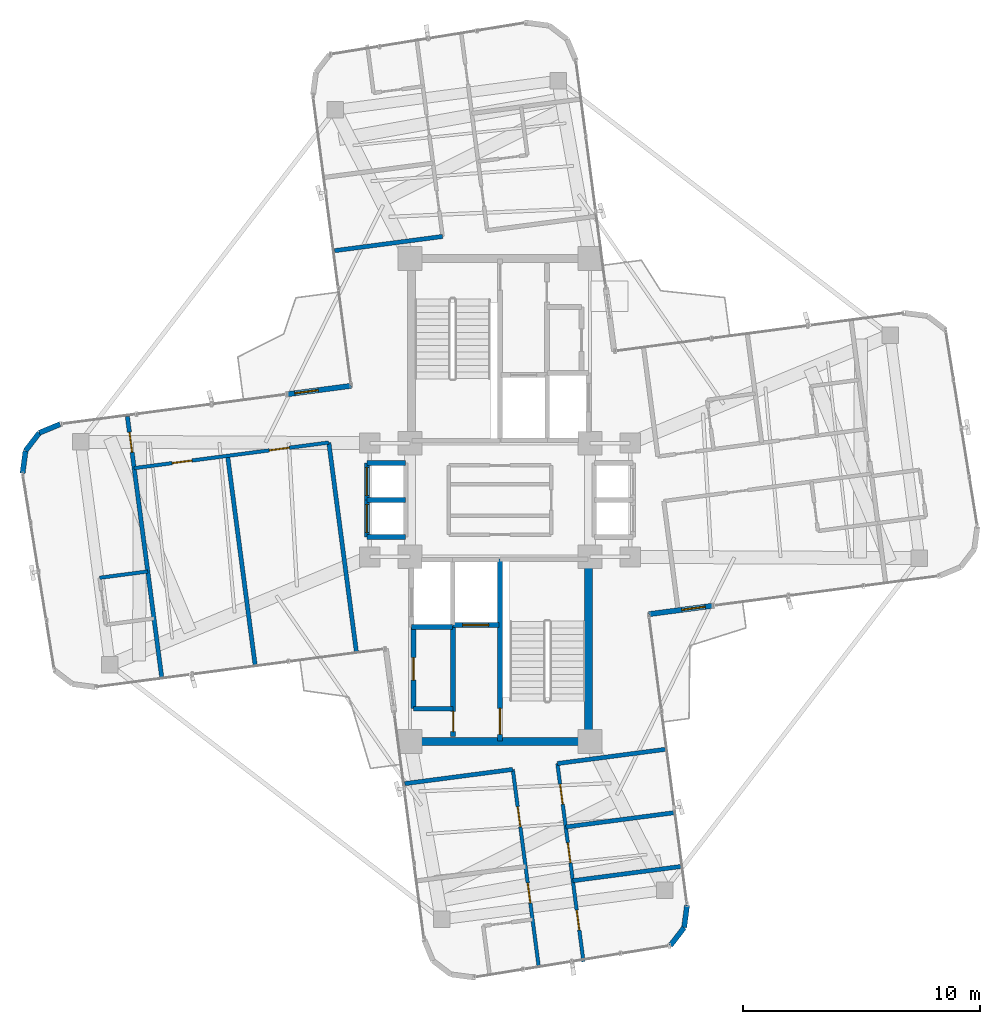
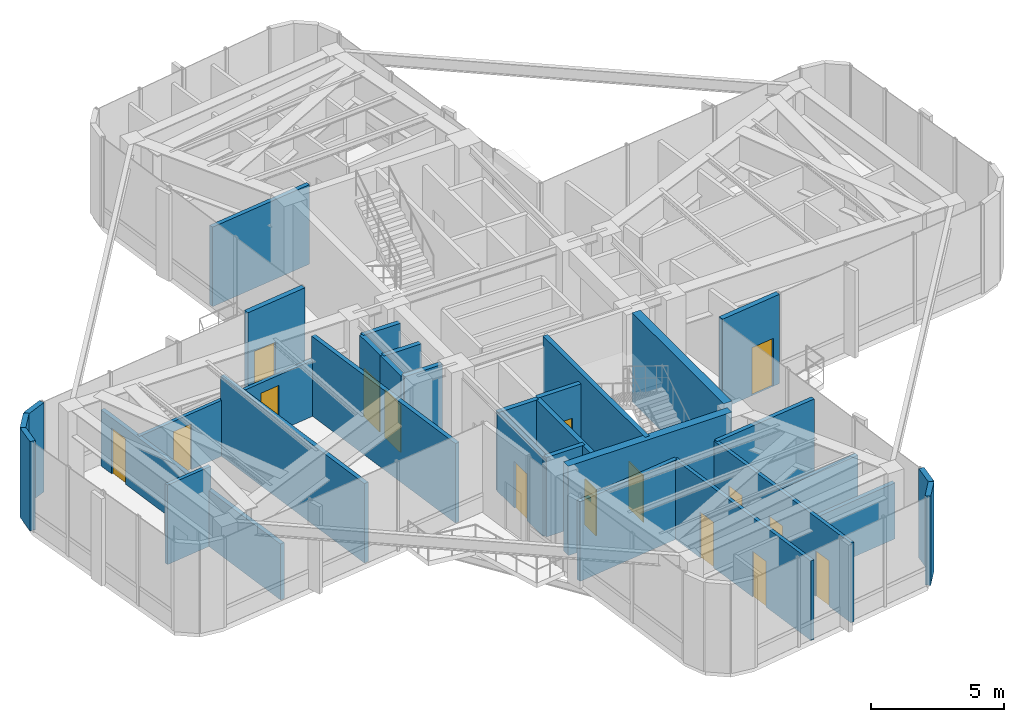
# One storey, part 14 of 18: 32 walls, 16 doors, 16 openings.
"""IFC4 building model written with IfcOpenShell, lengths in metres."""

from ifc_helpers import new_model, si_unit, direction, frame, frame_2d, origin, origin_2d, place, context, subcontext, project, spatial, rectangle, extrude, source, transform, mapped, material, layer, layer_set, type_object, element, fill, save


model = new_model("IFC4")

# Units and contexts
model_context = context("Model", 3, precision=1e-05, world=origin(), true_north=direction((0.0, 1.0)))
body_context = subcontext(model_context, "Body", "Model", "MODEL_VIEW")
ifc_project = project(units=[si_unit("LENGTHUNIT", "METRE"), si_unit("AREAUNIT", "SQUARE_METRE"), si_unit("VOLUMEUNIT", "CUBIC_METRE"), si_unit("PLANEANGLEUNIT", "RADIAN"), si_unit("MASSUNIT", "GRAM", prefix="KILO")], contexts=[model_context])

# Site, building, storey
site_placement = place(None, origin())
site = spatial("IfcSite", under=ifc_project, at=site_placement, CompositionType="ELEMENT")
building_placement = place(site_placement, origin())
building = spatial("IfcBuilding", under=site, at=building_placement, Name="Sahyath Konkavel Grand Hotel", CompositionType="ELEMENT")
storey_placement = place(building_placement, frame((0.0, 0.0, 275.800048828125)))
storey = spatial("IfcBuildingStorey", under=building, at=storey_placement, Name="L77", CompositionType="ELEMENT", Elevation=275.800048828125)

# Walls
ifc_material_1 = material(Name="Concrete C40/50", Category="concrete")
ifc_layer_1 = layer(ifc_material_1, 0.35009765625)
ifc_layer_set_1 = layer_set([ifc_layer_1], Name="Concrete C40/50")
wall_type_1 = type_object("IfcWallType", Name="CWALL-350", PredefinedType="SHEAR", material=ifc_layer_set_1)
wall_1_placement = place(storey_placement, frame((-3.550048828125, -10.199951171875, 0.0), z_axis=(0.0, 0.0, 1.0), x_axis=(1.0, 0.0, 0.0)))
element("IfcWall", 1, at=wall_1_placement, inside=storey, type_object=wall_type_1, Name="L77 South Core Shear Wall S", PredefinedType="SHEAR", context=body_context, shape_type="SweptSolid", body=[
    extrude(rectangle(XDim=7.10009765625, YDim=0.35009765625, at=frame_2d((3.550048828125, 0.0))), origin(), (0.0, 0.0, 1.0), 4.099853515625),
])
wall_2_placement = place(storey_placement, frame((3.739990234375, -9.75, 0.0), z_axis=(0.0, 0.0, 1.0), x_axis=(0.0, 1.0, 0.0)))
element("IfcWall", 2, at=wall_2_placement, inside=storey, type_object=wall_type_1, Name="L77 South Core Shear Wall E", PredefinedType="SHEAR", context=body_context, shape_type="SweptSolid", body=[
    extrude(rectangle(XDim=6.89990234375, YDim=0.35009765625, at=frame_2d((3.449951171875, 0.0))), origin(), (0.0, 0.0, 1.0), 4.099853515625),
])

# Wall, opening, door
ifc_material_2 = material(Name="Warm Buff Sandstone Insulated Concrete C40/50", Category="masonry")
ifc_layer_2 = layer(ifc_material_2, 0.219970703125)
ifc_layer_set_2 = layer_set([ifc_layer_2], Name="Warm Buff Sandstone Insulated Concrete C40/50")
wall_type_2 = type_object("IfcWallType", Name="WLL-BALC-THRESH", PredefinedType="STANDARD", material=ifc_layer_set_2)
wall_3_placement = place(storey_placement, frame((6.282958984375, -4.821044921875, 0.0), z_axis=(0.0, 0.0, 1.0), x_axis=(0.991451525486, 0.130475563272, 0.0)))
wall_3 = element("IfcWall", 3, at=wall_3_placement, inside=storey, type_object=wall_type_2, Name="L77 Winter-Garden Threshold Wall 0", PredefinedType="STANDARD", context=body_context, shape_type="SweptSolid", body=[
    extrude(rectangle(XDim=2.7001953125, YDim=0.219970703125, at=frame_2d((1.35009765625, 0.0))), origin(), (0.0, 0.0, 1.0), 4.099853515625),
])
opening_1_placement = place(wall_3_placement, frame((1.39990234375, 0.0, 0.0)))
opening_1 = element("IfcOpeningElement", 4, at=opening_1_placement, cuts=wall_3, Name="Opening D-TR1", PredefinedType="OPENING", context=body_context, shape_type="SweptSolid", body=[
    extrude(rectangle(XDim=1.0, YDim=2.199951171875, at=frame_2d((0.5, 1.10009765625))), frame((0.0, 0.1201171875, 0.0), z_axis=(0.0, -1.0, 0.0), x_axis=(1.0, 0.0, 0.0)), (0.0, 0.0, 1.0), 0.239990234375),
])
ifc_material_3 = material(Name="Anodised Bronze Aluminium & Low-E Glazing", Category="aluminium")
door_type_1 = type_object("IfcDoorType", Name="DR-TERRACE-1000", OperationType="NOTDEFINED", PredefinedType="DOOR", material=ifc_material_3)
shared_shape_1 = source(origin(), body_context, "Body", "SweptSolid", [
    extrude(rectangle(XDim=1.0, YDim=0.050048828125, at=origin_2d()), origin(), (0.0, 0.0, 1.0), 2.199951171875),
])
door_1_placement = place(opening_1_placement, frame((0.5, 0.0, 0.0)))
door_1 = element("IfcDoor", 5, at=door_1_placement, inside=storey, type_object=door_type_1, Name="L77 Winter-Garden Terrace Door 0", OperationType="SINGLE_SWING_LEFT", OverallHeight=2.199951171875, OverallWidth=1.0, PredefinedType="DOOR", context=body_context, shape_type="MappedRepresentation", body=[
    mapped(shared_shape_1, transform((0.0, 0.0, 0.0), scale=1.0)),
])
fill(opening_1, door_1)

wall_4_placement = place(storey_placement, frame((-6.282958984375, 4.821044921875, 0.0), z_axis=(0.0, 0.0, 1.0), x_axis=(-0.991451525486, -0.130475563272, 0.0)))
wall_4 = element("IfcWall", 6, at=wall_4_placement, inside=storey, type_object=wall_type_2, Name="L77 Winter-Garden Threshold Wall 16", PredefinedType="STANDARD", context=body_context, shape_type="SweptSolid", body=[
    extrude(rectangle(XDim=2.7001953125, YDim=0.219970703125, at=frame_2d((1.35009765625, 0.0))), origin(), (0.0, 0.0, 1.0), 4.099853515625),
])
opening_2_placement = place(wall_4_placement, frame((1.39990234375, 0.0, 0.0)))
opening_2 = element("IfcOpeningElement", 7, at=opening_2_placement, cuts=wall_4, Name="Opening D-TR1", PredefinedType="OPENING", context=body_context, shape_type="SweptSolid", body=[
    extrude(rectangle(XDim=1.0, YDim=2.199951171875, at=frame_2d((0.5, 1.10009765625))), frame((0.0, 0.1201171875, 0.0), z_axis=(0.0, -1.0, 0.0), x_axis=(1.0, 0.0, 0.0)), (0.0, 0.0, 1.0), 0.239990234375),
])
door_2_placement = place(opening_2_placement, frame((0.5, 0.0, 0.0)))
door_2 = element("IfcDoor", 8, at=door_2_placement, inside=storey, type_object=door_type_1, Name="L77 Winter-Garden Terrace Door 16", OperationType="SINGLE_SWING_LEFT", OverallHeight=2.199951171875, OverallWidth=1.0, PredefinedType="DOOR", context=body_context, shape_type="MappedRepresentation", body=[
    mapped(shared_shape_1, transform((0.0, 0.0, 0.0), scale=1.0)),
])
fill(opening_2, door_2)

# Walls
wall_5_placement = place(storey_placement, frame((-18.56689453125, 3.203857421875, 0.0), z_axis=(0.0, 0.0, 1.0), x_axis=(-0.923926759112, -0.382569397359, 0.0)))
element("IfcWall", 9, at=wall_5_placement, inside=storey, type_object=wall_type_2, Name="L77 Rounded Corner Sandstone Pier 17", PredefinedType="STANDARD", context=body_context, shape_type="SweptSolid", body=[
    extrude(rectangle(XDim=0.957763671875, YDim=0.219970703125, at=frame_2d((0.47900390625, 0.0))), origin(), (0.0, 0.0, 1.0), 4.099853515625),
])
for number, where, z_axis, x_axis, name in (
    (10, (-19.451904296875, 2.83740234375, 0.0), (0.0, 0.0, 1.0), (-0.60861352168, -0.793466811674, 0.0), "L77 Rounded Corner Sandstone Pier 18"),
    (11, (-20.03466796875, 2.07763671875, 0.0), (0.0, 0.0, 1.0), (-0.13056005306, -0.991440402921, 0.0), "L77 Rounded Corner Sandstone Pier 19"),
    (12, (7.1923828125, -18.814208984375, 0.0), (0.0, 0.0, 1.0), (0.608897151398, 0.793249178392, 0.0), "L77 Rounded Corner Sandstone Pier 29"),
):
    element("IfcWall", number, at=place(storey_placement, frame(where, z_axis=z_axis, x_axis=x_axis)), inside=storey, type_object=wall_type_2, Name=name, PredefinedType="STANDARD", context=body_context, shape_type="SweptSolid", body=[
        extrude(rectangle(XDim=0.95751953125, YDim=0.219970703125, at=frame_2d((0.478759765625, 0.0))), origin(), (0.0, 0.0, 1.0), 4.099853515625),
    ])
wall_6_placement = place(storey_placement, frame((7.775390625, -18.0546875, 0.0), z_axis=(0.0, 0.0, 1.0), x_axis=(0.130494070426, 0.991449089759, 0.0)))
element("IfcWall", 13, at=wall_6_placement, inside=storey, type_object=wall_type_2, Name="L77 Rounded Corner Sandstone Pier 30", PredefinedType="STANDARD", context=body_context, shape_type="SweptSolid", body=[
    extrude(rectangle(XDim=0.9580078125, YDim=0.219970703125, at=frame_2d((0.47900390625, 0.0))), origin(), (0.0, 0.0, 1.0), 4.099853515625),
])

# Wall, opening, door
ifc_layer_3 = layer(ifc_material_1, 0.199951171875)
ifc_layer_set_3 = layer_set([ifc_layer_3], Name="Concrete C40/50")
wall_type_3 = type_object("IfcWallType", Name="WLL-CORE-200", PredefinedType="SOLIDWALL", material=ifc_layer_set_3)
wall_7_placement = place(storey_placement, frame((0.0, -10.179931640625, 0.0), z_axis=(0.0, 0.0, 1.0), x_axis=(0.0, 1.0, 0.0)))
wall_7 = element("IfcWall", 14, at=wall_7_placement, inside=storey, type_object=wall_type_3, Name="L77 Stair ST-2 Shaft Wall W", PredefinedType="SOLIDWALL", context=body_context, shape_type="SweptSolid", body=[
    extrude(rectangle(XDim=7.679931640625, YDim=0.199951171875, at=frame_2d((3.83984375, 0.0))), origin(), (0.0, 0.0, 1.0), 4.099853515625),
])
opening_3_placement = place(wall_7_placement, frame((0.280029296875, 0.0, 0.0)))
opening_3 = element("IfcOpeningElement", 15, at=opening_3_placement, cuts=wall_7, Name="Opening D-F12B", PredefinedType="OPENING", context=body_context, shape_type="SweptSolid", body=[
    extrude(rectangle(XDim=1.10009765625, YDim=2.14990234375, at=frame_2d((0.550048828125, 1.074951171875))), frame((0.0, 0.10986328125, 0.0), z_axis=(0.0, -1.0, 0.0), x_axis=(1.0, 0.0, 0.0)), (0.0, 0.0, 1.0), 0.219970703125),
])
ifc_material_4 = material(Name="Steel E350 Smokeproof Fire Door", Category="steel")
door_type_2 = type_object("IfcDoorType", Name="DR-FD120-1100", OperationType="NOTDEFINED", PredefinedType="DOOR", material=ifc_material_4)
shared_shape_2 = source(origin(), body_context, "Body", "SweptSolid", [
    extrude(rectangle(XDim=1.10009765625, YDim=0.050048828125, at=origin_2d()), origin(), (0.0, 0.0, 1.0), 2.14990234375),
])
door_3_placement = place(opening_3_placement, frame((0.550048828125, 0.0, 0.0)))
door_3 = element("IfcDoor", 16, at=door_3_placement, inside=storey, type_object=door_type_2, Name="L77 Stair ST-2 Fire Door", OperationType="SINGLE_SWING_RIGHT", OverallHeight=2.14990234375, OverallWidth=1.10009765625, PredefinedType="DOOR", context=body_context, shape_type="MappedRepresentation", body=[
    mapped(shared_shape_2, transform((0.0, 0.0, 0.0), scale=1.0)),
])
fill(opening_3, door_3)

wall_8_placement = place(storey_placement, frame((-1.97998046875, -9.97998046875, 0.0), z_axis=(0.0, 0.0, 1.0), x_axis=(0.0, 1.0, 0.0)))
wall_8 = element("IfcWall", 17, at=wall_8_placement, inside=storey, type_object=wall_type_3, Name="L77 South Firefighting Lobby Wall W", PredefinedType="SOLIDWALL", context=body_context, shape_type="SweptSolid", body=[
    extrude(rectangle(XDim=4.659912109375, YDim=0.199951171875, at=frame_2d((2.330078125, 0.0))), origin(), (0.0, 0.0, 1.0), 3.64990234375),
])
opening_4_placement = place(wall_8_placement, frame((0.199951171875, 0.0, 0.0)))
opening_4 = element("IfcOpeningElement", 18, at=opening_4_placement, cuts=wall_8, Name="Opening D-F12D", PredefinedType="OPENING", context=body_context, shape_type="SweptSolid", body=[
    extrude(rectangle(XDim=0.85009765625, YDim=2.10009765625, at=frame_2d((0.425048828125, 1.050048828125))), frame((0.0, 0.10986328125, 0.0), z_axis=(0.0, -1.0, 0.0), x_axis=(1.0, 0.0, 0.0)), (0.0, 0.0, 1.0), 0.219970703125),
])
ifc_material_5 = material(Name="Steel E350 Core Fire Door", Category="steel")
door_type_3 = type_object("IfcDoorType", Name="DR-FD120-850", OperationType="NOTDEFINED", PredefinedType="DOOR", material=ifc_material_5)
shared_shape_3 = source(origin(), body_context, "Body", "SweptSolid", [
    extrude(rectangle(XDim=0.85009765625, YDim=0.050048828125, at=origin_2d()), origin(), (0.0, 0.0, 1.0), 2.10009765625),
])
door_4_placement = place(opening_4_placement, frame((0.425048828125, 0.0, 0.0)))
door_4 = element("IfcDoor", 19, at=door_4_placement, inside=storey, type_object=door_type_3, Name="L77 South Firefighting Lobby Door", OperationType="SINGLE_SWING_RIGHT", OverallHeight=2.10009765625, OverallWidth=0.85009765625, PredefinedType="DOOR", context=body_context, shape_type="MappedRepresentation", body=[
    mapped(shared_shape_3, transform((0.0, 0.0, 0.0), scale=1.0)),
])
fill(opening_4, door_4)

wall_9_placement = place(storey_placement, frame((-1.97998046875, -5.280029296875, 0.0), z_axis=(0.0, 0.0, 1.0), x_axis=(1.0, 0.0, 0.0)))
wall_9 = element("IfcWall", 20, at=wall_9_placement, inside=storey, type_object=wall_type_3, Name="L77 Partition SH-FFL2-S", PredefinedType="SOLIDWALL", context=body_context, shape_type="SweptSolid", body=[
    extrude(rectangle(XDim=1.929931640625, YDim=0.199951171875, at=frame_2d((0.96484375, 0.0))), origin(), (0.0, 0.0, 1.0), 3.64990234375),
])
opening_5_placement = place(wall_9_placement, frame((0.39990234375, 0.0, 0.0)))
opening_5 = element("IfcOpeningElement", 21, at=opening_5_placement, cuts=wall_9, Name="Opening LD-11", PredefinedType="OPENING", context=body_context, shape_type="SweptSolid", body=[
    extrude(rectangle(XDim=1.10009765625, YDim=2.199951171875, at=frame_2d((0.550048828125, 1.10009765625))), frame((0.0, 0.10986328125, 0.0), z_axis=(0.0, -1.0, 0.0), x_axis=(1.0, 0.0, 0.0)), (0.0, 0.0, 1.0), 0.219970703125),
])
ifc_material_6 = material(Name="Bronze Lift Landing Door 1100")
door_type_4 = type_object("IfcDoorType", Name="DR-LIFT-1100", OperationType="DOUBLE_DOOR_SLIDING", PredefinedType="DOOR", material=ifc_material_6)
shared_shape_4 = source(origin(), body_context, "Body", "SweptSolid", [
    extrude(rectangle(XDim=1.10009765625, YDim=0.050048828125, at=origin_2d()), origin(), (0.0, 0.0, 1.0), 2.199951171875),
])
door_5_placement = place(opening_5_placement, frame((0.550048828125, 0.0, 0.0)))
door_5 = element("IfcDoor", 22, at=door_5_placement, inside=storey, type_object=door_type_4, Name="L77 Lift FFL-2 Landing Door", OperationType="DOUBLE_DOOR_SLIDING", OverallHeight=2.199951171875, OverallWidth=1.10009765625, PredefinedType="DOOR", context=body_context, shape_type="MappedRepresentation", body=[
    mapped(shared_shape_4, transform((0.0, 0.0, 0.0), scale=1.0)),
])
fill(opening_5, door_5)

# Walls
wall_10_placement = place(storey_placement, frame((-3.739990234375, -5.360107421875, 0.0), z_axis=(0.0, 0.0, 1.0), x_axis=(1.0, 0.0, 0.0)))
element("IfcWall", 23, at=wall_10_placement, inside=storey, type_object=wall_type_3, Name="L77 Partition SH-SVL2-S", PredefinedType="SOLIDWALL", context=body_context, shape_type="SweptSolid", body=[
    extrude(rectangle(XDim=1.739990234375, YDim=0.199951171875, at=frame_2d((0.8701171875, 0.0))), origin(), (0.0, 0.0, 1.0), 3.64990234375),
])
for number, where, z_axis, x_axis, name in (
    (24, (-5.6201171875, 1.56005859375, 0.0), (0.0, 0.0, 1.0), (1.0, 0.0, 0.0), "L77 Partition SH-SL12-N"),
    (25, (-5.6201171875, -1.56005859375, 0.0), (0.0, 0.0, 1.0), (1.0, 0.0, 0.0), "L77 Partition SH-SL12-S"),
    (26, (-5.6201171875, 0.0, 0.0), (0.0, 0.0, 1.0), (1.0, 0.0, 0.0), "L77 Partition SH-SL12-M"),
):
    element("IfcWall", number, at=place(storey_placement, frame(where, z_axis=z_axis, x_axis=x_axis)), inside=storey, type_object=wall_type_3, Name=name, PredefinedType="SOLIDWALL", context=body_context, shape_type="SweptSolid", body=[
        extrude(rectangle(XDim=1.64013671875, YDim=0.199951171875, at=frame_2d((0.820068359375, 0.0))), origin(), (0.0, 0.0, 1.0), 3.64990234375),
    ])

# Wall, opening, door
wall_11_placement = place(storey_placement, frame((-5.6201171875, 0.0, 0.0), z_axis=(0.0, 0.0, 1.0), x_axis=(0.0, 1.0, 0.0)))
wall_11 = element("IfcWall", 27, at=wall_11_placement, inside=storey, type_object=wall_type_3, Name="L77 Partition SH-SL1-W", PredefinedType="SOLIDWALL", context=body_context, shape_type="SweptSolid", body=[
    extrude(rectangle(XDim=1.56005859375, YDim=0.199951171875, at=frame_2d((0.780029296875, 0.0))), origin(), (0.0, 0.0, 1.0), 3.64990234375),
])
opening_6_placement = place(wall_11_placement, frame((0.179931640625, 0.0, 0.0)))
opening_6 = element("IfcOpeningElement", 28, at=opening_6_placement, cuts=wall_11, Name="Opening LD-12", PredefinedType="OPENING", context=body_context, shape_type="SweptSolid", body=[
    extrude(rectangle(XDim=1.199951171875, YDim=2.199951171875, at=frame_2d((0.60009765625, 1.10009765625))), frame((0.0, 0.10986328125, 0.0), z_axis=(0.0, -1.0, 0.0), x_axis=(1.0, 0.0, 0.0)), (0.0, 0.0, 1.0), 0.219970703125),
])
ifc_material_7 = material(Name="Stainless Steel Lift Landing Door 1200", Category="steel")
door_type_5 = type_object("IfcDoorType", Name="DR-LIFT-1200", OperationType="DOUBLE_DOOR_SLIDING", PredefinedType="DOOR", material=ifc_material_7)
shared_shape_5 = source(origin(), body_context, "Body", "SweptSolid", [
    extrude(rectangle(XDim=1.199951171875, YDim=0.050048828125, at=origin_2d()), origin(), (0.0, 0.0, 1.0), 2.199951171875),
])
door_6_placement = place(opening_6_placement, frame((0.60009765625, 0.0, 0.0)))
door_6 = element("IfcDoor", 29, at=door_6_placement, inside=storey, type_object=door_type_5, Name="L77 Express Shuttle SL-1 Landing Door", OperationType="DOUBLE_DOOR_SLIDING", OverallHeight=2.199951171875, OverallWidth=1.199951171875, PredefinedType="DOOR", context=body_context, shape_type="MappedRepresentation", body=[
    mapped(shared_shape_5, transform((0.0, 0.0, 0.0), scale=1.0)),
])
fill(opening_6, door_6)

wall_12_placement = place(storey_placement, frame((-5.6201171875, -1.56005859375, 0.0), z_axis=(0.0, 0.0, 1.0), x_axis=(0.0, 1.0, 0.0)))
wall_12 = element("IfcWall", 30, at=wall_12_placement, inside=storey, type_object=wall_type_3, Name="L77 Partition SH-SL2-W", PredefinedType="SOLIDWALL", context=body_context, shape_type="SweptSolid", body=[
    extrude(rectangle(XDim=1.56005859375, YDim=0.199951171875, at=frame_2d((0.780029296875, 0.0))), origin(), (0.0, 0.0, 1.0), 3.64990234375),
])
opening_7_placement = place(wall_12_placement, frame((0.179931640625, 0.0, 0.0)))
opening_7 = element("IfcOpeningElement", 31, at=opening_7_placement, cuts=wall_12, Name="Opening LD-12", PredefinedType="OPENING", context=body_context, shape_type="SweptSolid", body=[
    extrude(rectangle(XDim=1.199951171875, YDim=2.199951171875, at=frame_2d((0.60009765625, 1.10009765625))), frame((0.0, 0.10986328125, 0.0), z_axis=(0.0, -1.0, 0.0), x_axis=(1.0, 0.0, 0.0)), (0.0, 0.0, 1.0), 0.219970703125),
])
door_7_placement = place(opening_7_placement, frame((0.60009765625, 0.0, 0.0)))
door_7 = element("IfcDoor", 32, at=door_7_placement, inside=storey, type_object=door_type_5, Name="L77 Express Shuttle SL-2 Landing Door", OperationType="DOUBLE_DOOR_SLIDING", OverallHeight=2.199951171875, OverallWidth=1.199951171875, PredefinedType="DOOR", context=body_context, shape_type="MappedRepresentation", body=[
    mapped(shared_shape_5, transform((0.0, 0.0, 0.0), scale=1.0)),
])
fill(opening_7, door_7)

wall_13_placement = place(storey_placement, frame((-3.64990234375, -8.81005859375, 0.0), z_axis=(0.0, 0.0, 1.0), x_axis=(0.0, 1.0, 0.0)))
wall_13 = element("IfcWall", 33, at=wall_13_placement, inside=storey, type_object=wall_type_3, Name="L77 Reclaimed South Core Wall W", PredefinedType="SOLIDWALL", context=body_context, shape_type="SweptSolid", body=[
    extrude(rectangle(XDim=3.43017578125, YDim=0.199951171875, at=frame_2d((1.715087890625, 0.0))), origin(), (0.0, 0.0, 1.0), 3.64990234375),
])
opening_8_placement = place(wall_13_placement, frame((1.199951171875, 0.0, 0.0)))
opening_8 = element("IfcOpeningElement", 34, at=opening_8_placement, cuts=wall_13, Name="Opening D-AC95", PredefinedType="OPENING", context=body_context, shape_type="SweptSolid", body=[
    extrude(rectangle(XDim=0.949951171875, YDim=2.14990234375, at=frame_2d((0.47509765625, 1.074951171875))), frame((0.0, 0.10986328125, 0.0), z_axis=(0.0, -1.0, 0.0), x_axis=(1.0, 0.0, 0.0)), (0.0, 0.0, 1.0), 0.219970703125),
])
ifc_material_8 = material(Name="Accessible Washroom Timber Door", Category="wood")
door_type_6 = type_object("IfcDoorType", Name="DR-ACC-950", OperationType="NOTDEFINED", PredefinedType="DOOR", material=ifc_material_8)
shared_shape_6 = source(origin(), body_context, "Body", "SweptSolid", [
    extrude(rectangle(XDim=0.949951171875, YDim=0.050048828125, at=origin_2d()), origin(), (0.0, 0.0, 1.0), 2.14990234375),
])
door_8_placement = place(opening_8_placement, frame((0.47509765625, 0.0, 0.0)))
door_8 = element("IfcDoor", 35, at=door_8_placement, inside=storey, type_object=door_type_6, Name="L77 Door SC-REC1-D", OperationType="SINGLE_SWING_RIGHT", OverallHeight=2.14990234375, OverallWidth=0.949951171875, PredefinedType="DOOR", context=body_context, shape_type="MappedRepresentation", body=[
    mapped(shared_shape_6, transform((0.0, 0.0, 0.0), scale=1.0)),
])
fill(opening_8, door_8)

# Walls
wall_14_placement = place(storey_placement, frame((-3.64990234375, -8.81005859375, 0.0), z_axis=(0.0, 0.0, 1.0), x_axis=(1.0, 0.0, 0.0)))
element("IfcWall", 36, at=wall_14_placement, inside=storey, type_object=wall_type_3, Name="L77 Partition SC-REC-S", PredefinedType="SOLIDWALL", context=body_context, shape_type="SweptSolid", body=[
    extrude(rectangle(XDim=1.669921875, YDim=0.199951171875, at=frame_2d((0.8349609375, 0.0))), origin(), (0.0, 0.0, 1.0), 3.64990234375),
])
ifc_material_9 = material(Name="Twin-Stud Acoustic Gypsum Plasterboard Partition")
ifc_layer_4 = layer(ifc_material_9, 0.179931640625)
ifc_layer_set_4 = layer_set([ifc_layer_4], Name="Twin-Stud Acoustic Gypsum Plasterboard Partition")
wall_type_4 = type_object("IfcWallType", Name="WLL-DEMISE-180", PredefinedType="PARTITIONING", material=ifc_layer_set_4)
wall_15_placement = place(storey_placement, frame((-2.42333984375, 11.12890625, 0.0), z_axis=(0.0, 0.0, 1.0), x_axis=(-0.991446706518, -0.130512176195, 0.0)))
element("IfcWall", 37, at=wall_15_placement, inside=storey, type_object=wall_type_4, Name="L77 Partition N-INL", PredefinedType="PARTITIONING", context=body_context, shape_type="SweptSolid", body=[
    extrude(rectangle(XDim=4.599853515625, YDim=0.179931640625, at=frame_2d((2.2998046875, 0.0))), origin(), (0.0, 0.0, 1.0), 3.64990234375),
])
for number, where, z_axis, x_axis, name in (
    (38, (-7.228759765625, 2.42724609375, 0.0), (0.0, 0.0, 1.0), (0.130548179903, -0.991441966392, 0.0), "L77 Partition W-G6I"),
    (39, (-11.502685546875, 1.864501953125, 0.0), (0.0, 0.0, 1.0), (0.130521215423, -0.991445516569, 0.0), "L77 Partition W-WSL6-DEM"),
):
    element("IfcWall", number, at=place(storey_placement, frame(where, z_axis=z_axis, x_axis=x_axis)), inside=storey, type_object=wall_type_4, Name=name, PredefinedType="PARTITIONING", context=body_context, shape_type="SweptSolid", body=[
        extrude(rectangle(XDim=8.89990234375, YDim=0.179931640625, at=frame_2d((4.449951171875, 0.0))), origin(), (0.0, 0.0, 1.0), 3.64990234375),
    ])

# Wall, opening, door
wall_16_placement = place(storey_placement, frame((-15.73486328125, 3.5263671875, 0.0), z_axis=(0.0, 0.0, 1.0), x_axis=(0.130515390239, -0.991446283422, 0.0)))
wall_16 = element("IfcWall", 40, at=wall_16_placement, inside=storey, type_object=wall_type_4, Name="L77 Partition W-WTIP-END", PredefinedType="PARTITIONING", context=body_context, shape_type="SweptSolid", body=[
    extrude(rectangle(XDim=11.10009765625, YDim=0.179931640625, at=frame_2d((5.550048828125, 0.0))), origin(), (0.0, 0.0, 1.0), 2.570068359375),
])
opening_9_placement = place(wall_16_placement, frame((0.675048828125, 0.0, 0.0)))
opening_9 = element("IfcOpeningElement", 41, at=opening_9_placement, cuts=wall_16, Name="Opening D-F06D", PredefinedType="OPENING", context=body_context, shape_type="SweptSolid", body=[
    extrude(rectangle(XDim=0.85009765625, YDim=2.10009765625, at=frame_2d((0.425048828125, 1.050048828125))), frame((0.0, 0.10009765625, 0.0), z_axis=(0.0, -1.0, 0.0), x_axis=(1.0, 0.0, 0.0)), (0.0, 0.0, 1.0), 0.199951171875),
])
ifc_material_10 = material(Name="Fire-Rated Shaft Access Door")
door_type_7 = type_object("IfcDoorType", Name="DR-FD60-850", OperationType="NOTDEFINED", PredefinedType="DOOR", material=ifc_material_10)
door_9_placement = place(opening_9_placement, frame((0.425048828125, 0.0, 0.0)))
door_9 = element("IfcDoor", 42, at=door_9_placement, inside=storey, type_object=door_type_7, Name="L77 Door W-WTIP-ED", OperationType="SINGLE_SWING_LEFT", OverallHeight=2.10009765625, OverallWidth=0.85009765625, PredefinedType="DOOR", context=body_context, shape_type="MappedRepresentation", body=[
    mapped(shared_shape_3, transform((0.0, 0.0, 0.0), scale=1.0)),
])
fill(opening_9, door_9)

# Walls
for number, where, z_axis, x_axis, name in (
    (43, (2.42333984375, -11.12890625, 0.0), (0.0, 0.0, 1.0), (0.991446706518, 0.130512176195, 0.0), "L77 Partition S-INL"),
    (44, (-4.02099609375, -11.977294921875, 0.0), (0.0, 0.0, 1.0), (0.991446706518, 0.130512176195, 0.0), "L77 Partition S-INR"),
):
    element("IfcWall", number, at=place(storey_placement, frame(where, z_axis=z_axis, x_axis=x_axis)), inside=storey, type_object=wall_type_4, Name=name, PredefinedType="PARTITIONING", context=body_context, shape_type="SweptSolid", body=[
        extrude(rectangle(XDim=4.599853515625, YDim=0.179931640625, at=frame_2d((2.2998046875, 0.0))), origin(), (0.0, 0.0, 1.0), 3.64990234375),
    ])
for number, where, z_axis, x_axis, name in (
    (45, (2.77587890625, -13.806884765625, 0.0), (0.0, 0.0, 1.0), (0.991439837467, 0.130564346904, 0.0), "L77 Partition S-S1L-DEM"),
    (46, (3.07470703125, -16.076171875, 0.0), (0.0, 0.0, 1.0), (0.991446706518, 0.130512176195, 0.0), "L77 Partition S-S2L-DEM"),
):
    element("IfcWall", number, at=place(storey_placement, frame(where, z_axis=z_axis, x_axis=x_axis)), inside=storey, type_object=wall_type_4, Name=name, PredefinedType="PARTITIONING", context=body_context, shape_type="SweptSolid", body=[
        extrude(rectangle(XDim=4.599853515625, YDim=0.179931640625, at=frame_2d((2.2998046875, 0.0))), origin(), (0.0, 0.0, 1.0), 2.570068359375),
    ])

# Wall, openings, doors
ifc_material_11 = material(Name="Fire-Rated Gypsum Plasterboard Partition")
ifc_layer_5 = layer(ifc_material_11, 0.14990234375)
ifc_layer_set_5 = layer_set([ifc_layer_5], Name="Fire-Rated Gypsum Plasterboard Partition")
wall_type_5 = type_object("IfcWallType", Name="WLL-PART-150", PredefinedType="PARTITIONING", material=ifc_layer_set_5)
wall_17_placement = place(storey_placement, frame((-7.228759765625, 2.42724609375, 0.0), z_axis=(0.0, 0.0, 1.0), x_axis=(-0.991445171337, -0.130523837795, 0.0)))
wall_17 = element("IfcWall", 47, at=wall_17_placement, inside=storey, type_object=wall_type_5, Name="L77 Partition W-G6W", PredefinedType="PARTITIONING", context=body_context, shape_type="SweptSolid", body=[
    extrude(rectangle(XDim=8.289794921875, YDim=0.14990234375, at=frame_2d((4.14501953125, 0.0))), origin(), (0.0, 0.0, 1.0), 2.570068359375),
])
opening_10_placement = place(wall_17_placement, frame((1.679931640625, 0.0, 0.0)))
opening_10 = element("IfcOpeningElement", 48, at=opening_10_placement, cuts=wall_17, Name="Opening D-F06D", PredefinedType="OPENING", context=body_context, shape_type="SweptSolid", body=[
    extrude(rectangle(XDim=0.85009765625, YDim=2.10009765625, at=frame_2d((0.425048828125, 1.050048828125))), frame((0.0, 0.0849609375, 0.0), z_axis=(0.0, -1.0, 0.0), x_axis=(1.0, 0.0, 0.0)), (0.0, 0.0, 1.0), 0.169921875),
])
opening_11_placement = place(wall_17_placement, frame((5.825927734375, 0.0, 0.0)))
opening_11 = element("IfcOpeningElement", 49, at=opening_11_placement, cuts=wall_17, Name="Opening D-F06D", PredefinedType="OPENING", context=body_context, shape_type="SweptSolid", body=[
    extrude(rectangle(XDim=0.85009765625, YDim=2.10009765625, at=frame_2d((0.425048828125, 1.050048828125))), frame((0.0, 0.0849609375, 0.0), z_axis=(0.0, -1.0, 0.0), x_axis=(1.0, 0.0, 0.0)), (0.0, 0.0, 1.0), 0.169921875),
])
door_10_placement = place(opening_10_placement, frame((0.425048828125, 0.0, 0.0)))
door_10 = element("IfcDoor", 50, at=door_10_placement, inside=storey, type_object=door_type_7, Name="L77 Door W-WSL6-D", OperationType="SINGLE_SWING_RIGHT", OverallHeight=2.10009765625, OverallWidth=0.85009765625, PredefinedType="DOOR", context=body_context, shape_type="MappedRepresentation", body=[
    mapped(shared_shape_3, transform((0.0, 0.0, 0.0), scale=1.0)),
])
fill(opening_10, door_10)
door_11_placement = place(opening_11_placement, frame((0.425048828125, 0.0, 0.0)))
door_11 = element("IfcDoor", 51, at=door_11_placement, inside=storey, type_object=door_type_7, Name="L77 Door W-WD6-D", OperationType="SINGLE_SWING_LEFT", OverallHeight=2.10009765625, OverallWidth=0.85009765625, PredefinedType="DOOR", context=body_context, shape_type="MappedRepresentation", body=[
    mapped(shared_shape_3, transform((0.0, 0.0, 0.0), scale=1.0)),
])
fill(opening_11, door_11)

# Wall
wall_18_placement = place(storey_placement, frame((-14.873291015625, -3.01708984375, 0.0), z_axis=(0.0, 0.0, 1.0), x_axis=(-0.991431583844, -0.130627005462, 0.0)))
element("IfcWall", 52, at=wall_18_placement, inside=storey, type_object=wall_type_5, Name="L77 Partition W-WTIP-BS", PredefinedType="PARTITIONING", context=body_context, shape_type="SweptSolid", body=[
    extrude(rectangle(XDim=2.05029296875, YDim=0.14990234375, at=frame_2d((1.025146484375, 0.0))), origin(), (0.0, 0.0, 1.0), 3.64990234375),
])

# Wall, openings, doors
wall_19_placement = place(storey_placement, frame((2.42333984375, -11.12890625, 0.0), z_axis=(0.0, 0.0, 1.0), x_axis=(0.130518864652, -0.991445826039, 0.0)))
wall_19 = element("IfcWall", 53, at=wall_19_placement, inside=storey, type_object=wall_type_5, Name="L77 Partition S-CL", PredefinedType="PARTITIONING", context=body_context, shape_type="SweptSolid", body=[
    extrude(rectangle(XDim=8.43994140625, YDim=0.14990234375, at=frame_2d((4.219970703125, 0.0))), origin(), (0.0, 0.0, 1.0), 3.64990234375),
])
opening_12_placement = place(wall_19_placement, frame((0.8759765625, 0.0, 0.0)))
opening_12 = element("IfcOpeningElement", 54, at=opening_12_placement, cuts=wall_19, Name="Opening D-F06D", PredefinedType="OPENING", context=body_context, shape_type="SweptSolid", body=[
    extrude(rectangle(XDim=0.85009765625, YDim=2.10009765625, at=frame_2d((0.425048828125, 1.050048828125))), frame((0.0, 0.0849609375, 0.0), z_axis=(0.0, -1.0, 0.0), x_axis=(1.0, 0.0, 0.0)), (0.0, 0.0, 1.0), 0.169921875),
])
opening_13_placement = place(wall_19_placement, frame((3.3701171875, 0.0, 0.0)))
opening_13 = element("IfcOpeningElement", 55, at=opening_13_placement, cuts=wall_19, Name="Opening D-F06D", PredefinedType="OPENING", context=body_context, shape_type="SweptSolid", body=[
    extrude(rectangle(XDim=0.85009765625, YDim=2.10009765625, at=frame_2d((0.425048828125, 1.050048828125))), frame((0.0, 0.0849609375, 0.0), z_axis=(0.0, -1.0, 0.0), x_axis=(1.0, 0.0, 0.0)), (0.0, 0.0, 1.0), 0.169921875),
])
opening_14_placement = place(wall_19_placement, frame((6.239990234375, 0.0, 0.0)))
opening_14 = element("IfcOpeningElement", 56, at=opening_14_placement, cuts=wall_19, Name="Opening D-F06D", PredefinedType="OPENING", context=body_context, shape_type="SweptSolid", body=[
    extrude(rectangle(XDim=0.85009765625, YDim=2.10009765625, at=frame_2d((0.425048828125, 1.050048828125))), frame((0.0, 0.0849609375, 0.0), z_axis=(0.0, -1.0, 0.0), x_axis=(1.0, 0.0, 0.0)), (0.0, 0.0, 1.0), 0.169921875),
])
door_12_placement = place(opening_12_placement, frame((0.425048828125, 0.0, 0.0)))
door_12 = element("IfcDoor", 57, at=door_12_placement, inside=storey, type_object=door_type_7, Name="L77 Door S-S1L-D", OperationType="SINGLE_SWING_RIGHT", OverallHeight=2.10009765625, OverallWidth=0.85009765625, PredefinedType="DOOR", context=body_context, shape_type="MappedRepresentation", body=[
    mapped(shared_shape_3, transform((0.0, 0.0, 0.0), scale=1.0)),
])
fill(opening_12, door_12)
door_13_placement = place(opening_13_placement, frame((0.425048828125, 0.0, 0.0)))
door_13 = element("IfcDoor", 58, at=door_13_placement, inside=storey, type_object=door_type_7, Name="L77 Door S-S2L-D", OperationType="SINGLE_SWING_LEFT", OverallHeight=2.10009765625, OverallWidth=0.85009765625, PredefinedType="DOOR", context=body_context, shape_type="MappedRepresentation", body=[
    mapped(shared_shape_3, transform((0.0, 0.0, 0.0), scale=1.0)),
])
fill(opening_13, door_13)
door_14_placement = place(opening_14_placement, frame((0.425048828125, 0.0, 0.0)))
door_14 = element("IfcDoor", 59, at=door_14_placement, inside=storey, type_object=door_type_7, Name="L77 Door S-S3L-D", OperationType="SINGLE_SWING_RIGHT", OverallHeight=2.10009765625, OverallWidth=0.85009765625, PredefinedType="DOOR", context=body_context, shape_type="MappedRepresentation", body=[
    mapped(shared_shape_3, transform((0.0, 0.0, 0.0), scale=1.0)),
])
fill(opening_14, door_14)

wall_20_placement = place(storey_placement, frame((0.53955078125, -11.376953125, 0.0), z_axis=(0.0, 0.0, 1.0), x_axis=(0.130518864652, -0.991445826039, 0.0)))
wall_20 = element("IfcWall", 60, at=wall_20_placement, inside=storey, type_object=wall_type_5, Name="L77 Partition S-CR", PredefinedType="PARTITIONING", context=body_context, shape_type="SweptSolid", body=[
    extrude(rectangle(XDim=8.43994140625, YDim=0.14990234375, at=frame_2d((4.219970703125, 0.0))), origin(), (0.0, 0.0, 1.0), 3.64990234375),
])
opening_15_placement = place(wall_20_placement, frame((1.593017578125, 0.0, 0.0)))
opening_15 = element("IfcOpeningElement", 61, at=opening_15_placement, cuts=wall_20, Name="Opening D-F06D", PredefinedType="OPENING", context=body_context, shape_type="SweptSolid", body=[
    extrude(rectangle(XDim=0.85009765625, YDim=2.10009765625, at=frame_2d((0.425048828125, 1.050048828125))), frame((0.0, 0.0849609375, 0.0), z_axis=(0.0, -1.0, 0.0), x_axis=(1.0, 0.0, 0.0)), (0.0, 0.0, 1.0), 0.169921875),
])
opening_16_placement = place(wall_20_placement, frame((4.837890625, 0.0, 0.0)))
opening_16 = element("IfcOpeningElement", 62, at=opening_16_placement, cuts=wall_20, Name="Opening D-F06D", PredefinedType="OPENING", context=body_context, shape_type="SweptSolid", body=[
    extrude(rectangle(XDim=0.85009765625, YDim=2.10009765625, at=frame_2d((0.425048828125, 1.050048828125))), frame((0.0, 0.0849609375, 0.0), z_axis=(0.0, -1.0, 0.0), x_axis=(1.0, 0.0, 0.0)), (0.0, 0.0, 1.0), 0.169921875),
])
door_15_placement = place(opening_15_placement, frame((0.425048828125, 0.0, 0.0)))
door_15 = element("IfcDoor", 63, at=door_15_placement, inside=storey, type_object=door_type_7, Name="L77 Door S-S1R-D", OperationType="SINGLE_SWING_LEFT", OverallHeight=2.10009765625, OverallWidth=0.85009765625, PredefinedType="DOOR", context=body_context, shape_type="MappedRepresentation", body=[
    mapped(shared_shape_3, transform((0.0, 0.0, 0.0), scale=1.0)),
])
fill(opening_15, door_15)
door_16_placement = place(opening_16_placement, frame((0.425048828125, 0.0, 0.0)))
door_16 = element("IfcDoor", 64, at=door_16_placement, inside=storey, type_object=door_type_7, Name="L77 Door S-S2R-ED", OperationType="SINGLE_SWING_LEFT", OverallHeight=2.10009765625, OverallWidth=0.85009765625, PredefinedType="DOOR", context=body_context, shape_type="MappedRepresentation", body=[
    mapped(shared_shape_3, transform((0.0, 0.0, 0.0), scale=1.0)),
])
fill(opening_16, door_16)

save(model, "model.ifc")
